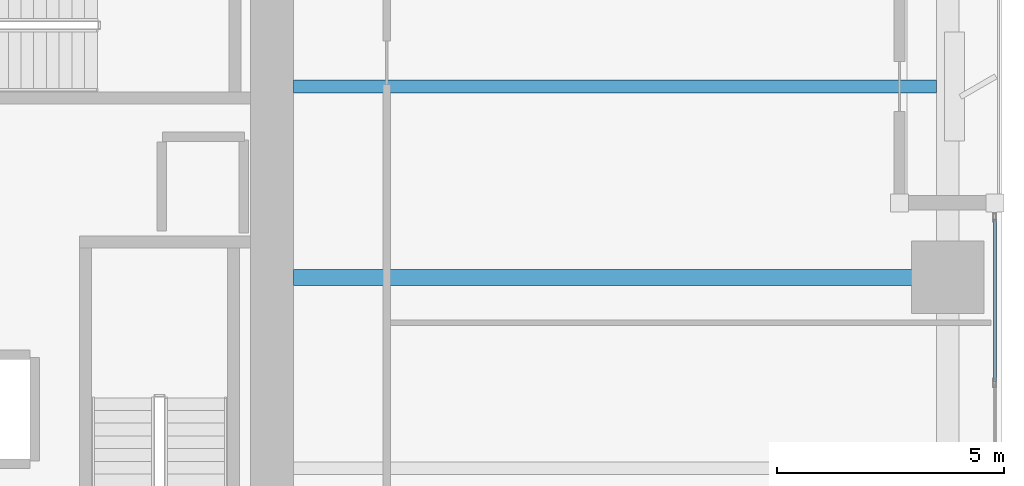
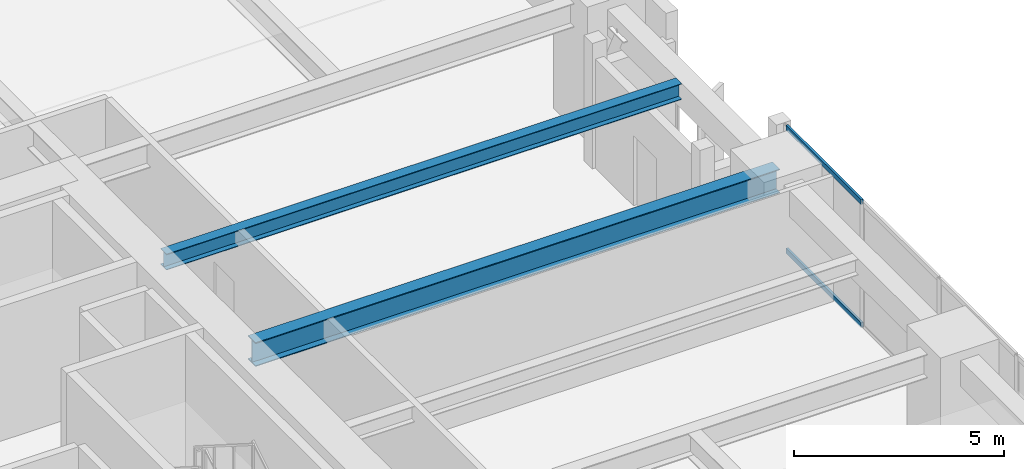
# One storey, part 9 of 29: 2 beams, 2 members, 1 element without a shape of its own.
"""IFC4 building model written with IfcOpenShell, lengths in metres."""

from ifc_helpers import new_model, si_unit, direction, frame, origin, origin_2d, place, context, subcontext, project, spatial, hollow_rectangle, i_section, extrude, material, layer, layer_set, material_profile, profile_set, type_object, element, aggregate, save


model = new_model("IFC4")

# Units and contexts
model_context = context("Model", 3, precision=1e-05, world=origin(), true_north=direction((0.0, 1.0)))
body_context = subcontext(model_context, "Body", "Model", "MODEL_VIEW")
ifc_project = project(units=[si_unit("LENGTHUNIT", "METRE"), si_unit("AREAUNIT", "SQUARE_METRE"), si_unit("VOLUMEUNIT", "CUBIC_METRE"), si_unit("PLANEANGLEUNIT", "RADIAN"), si_unit("MASSUNIT", "GRAM", prefix="KILO")], contexts=[model_context])

# Site, building, storey
site_placement = place(None, origin())
site = spatial("IfcSite", under=ifc_project, at=site_placement, CompositionType="ELEMENT")
building_placement = place(site_placement, origin())
building = spatial("IfcBuilding", under=site, at=building_placement, Name="Kiyonajd Concourse Tower", CompositionType="ELEMENT")
storey_placement = place(building_placement, frame((0.0, 0.0, 29.39990234375)))
storey = spatial("IfcBuildingStorey", under=building, at=storey_placement, Name="L08", CompositionType="ELEMENT", Elevation=29.39990234375)

# Beams
ifc_material_1 = material(Name="Steel ASTM A992 Grade 50", Category="steel")
ifc_material_profile_1 = material_profile(ifc_material_1, i_section(OverallWidth=0.280029296875, OverallDepth=0.462890625, WebThickness=0.0107421875, FlangeThickness=0.017333984375, at=origin_2d()), Name="W460X113")
ifc_profile_set_1 = profile_set([ifc_material_profile_1], Name="Steel ASTM A992 Grade 50")
beam_type_1 = type_object("IfcBeamType", Name="BM-JST-460A", PredefinedType="JOIST", material=ifc_profile_set_1)
beam_1_placement = place(storey_placement, frame((63.60009765625, 40.199951171875, 3.40869140625), z_axis=(1.0, 0.0, 0.0), x_axis=(0.0, 1.0, 0.0)))
element("IfcBeam", 1, at=beam_1_placement, inside=storey, type_object=beam_type_1, Name="L08 East Secondary Floor Joist", PredefinedType="JOIST", context=body_context, shape_type="SweptSolid", body=[
    extrude(i_section(OverallWidth=0.280029296875, OverallDepth=0.462890625, WebThickness=0.0107421875, FlangeThickness=0.017333984375, at=origin_2d()), origin(), (0.0, 0.0, 1.0), 14.14990234375),
])
ifc_material_profile_2 = material_profile(ifc_material_1, i_section(OverallWidth=0.35498046875, OverallDepth=0.695068359375, WebThickness=0.015380859375, FlangeThickness=0.02490234375, at=origin_2d()), Name="W690X217")
ifc_profile_set_2 = profile_set([ifc_material_profile_2], Name="Steel ASTM A992 Grade 50")
beam_type_2 = type_object("IfcBeamType", Name="BM-TWR-690", PredefinedType="BEAM", material=ifc_profile_set_2)
beam_2_placement = place(storey_placement, frame((63.60009765625, 36.0, 3.29248046875), z_axis=(1.0, 0.0, 0.0), x_axis=(0.0, 1.0, 0.0)))
element("IfcBeam", 2, at=beam_2_placement, inside=storey, type_object=beam_type_2, Name="L08 East Lease Girder", PredefinedType="BEAM", context=body_context, shape_type="SweptSolid", body=[
    extrude(i_section(OverallWidth=0.35498046875, OverallDepth=0.695068359375, WebThickness=0.015380859375, FlangeThickness=0.02490234375, at=origin_2d()), origin(), (0.0, 0.0, 1.0), 14.39990234375),
])

# Curtain wall, members
ifc_material_2 = material(Name="Thermally Broken Anodised Aluminium", Category="aluminium")
ifc_layer = layer(ifc_material_2, 0.179931640625)
ifc_layer_set = layer_set([ifc_layer], Name="Thermally Broken Anodised Aluminium")
curtain_wall_type = type_object("IfcCurtainWallType", Name="CW-SYS-02", PredefinedType="NOTDEFINED", material=ifc_layer_set)
curtain_wall_placement = place(storey_placement, origin())
curtain_wall = element("IfcCurtainWall", 3, at=curtain_wall_placement, inside=storey, type_object=curtain_wall_type, Name="L08 Unitised Curtain Wall CW2", PredefinedType="NOTDEFINED")
ifc_material_profile_3 = material_profile(ifc_material_2, hollow_rectangle(XDim=0.06494140625, YDim=0.139892578125, WallThickness=0.00390625, at=origin_2d()), Name="TRAN-65x140")
ifc_profile_set_3 = profile_set([ifc_material_profile_3], Name="Thermally Broken Anodised Aluminium")
member_type = type_object("IfcMemberType", Name="MB-CW-TRAN1", PredefinedType="USERDEFINED", material=ifc_profile_set_3)
member_1_placement = place(storey_placement, frame((79.0400390625, 37.284912109375, 0.03271484375), z_axis=(0.0, -1.0, 0.0), x_axis=(1.0, 0.0, 0.0)))
member_1 = element("IfcMember", 4, at=member_1_placement, type_object=member_type, Name="CW2 transom 1.1", ObjectType="TRANSOM", PredefinedType="USERDEFINED", context=body_context, shape_type="SweptSolid", body=[
    extrude(hollow_rectangle(XDim=0.06494140625, YDim=0.139892578125, WallThickness=0.00390625, at=origin_2d()), origin(), (0.0, 0.0, 1.0), 3.57568359375),
])
member_2_placement = place(storey_placement, frame((79.0400390625, 37.284912109375, 3.607666015625), z_axis=(0.0, -1.0, 0.0), x_axis=(1.0, 0.0, 0.0)))
member_2 = element("IfcMember", 5, at=member_2_placement, type_object=member_type, Name="CW2 transom 1.2", ObjectType="TRANSOM", PredefinedType="USERDEFINED", context=body_context, shape_type="SweptSolid", body=[
    extrude(hollow_rectangle(XDim=0.06494140625, YDim=0.139892578125, WallThickness=0.00390625, at=origin_2d()), origin(), (0.0, 0.0, 1.0), 3.57568359375),
])
aggregate(curtain_wall, [member_1, member_2])

save(model, "model.ifc")
